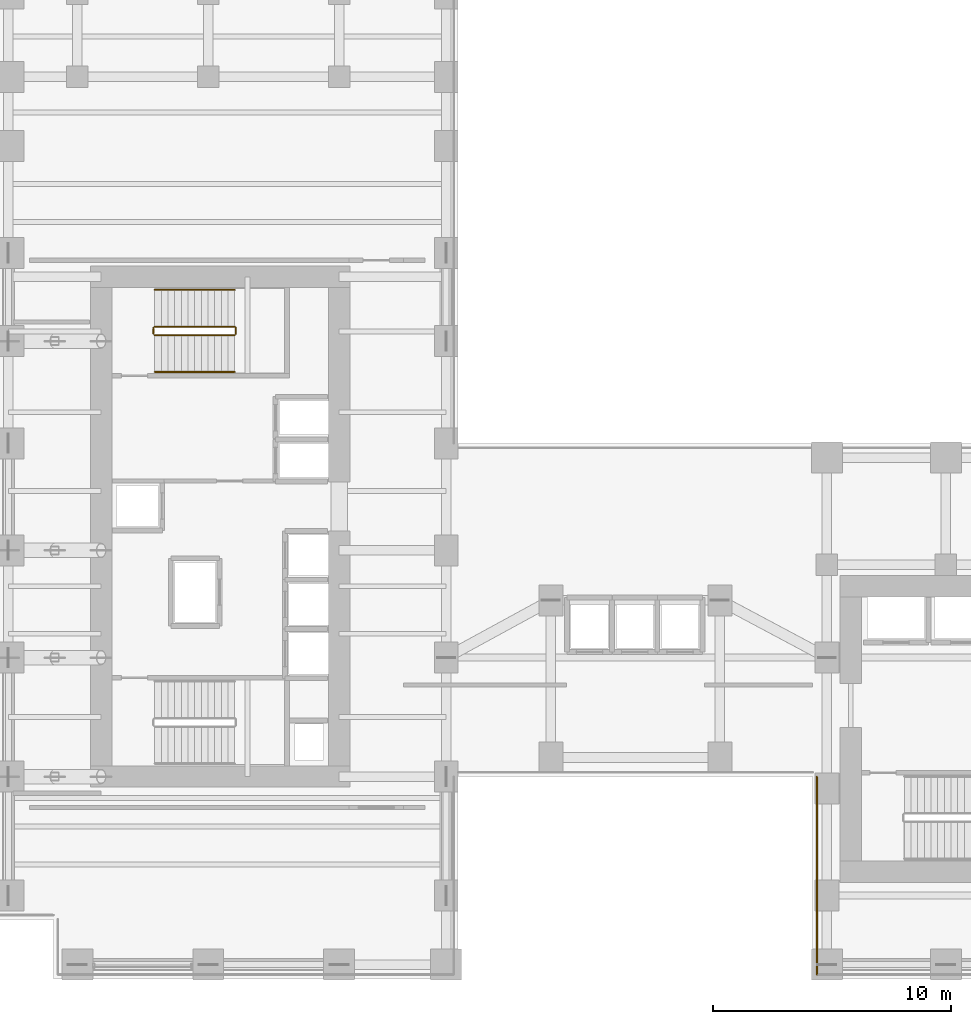
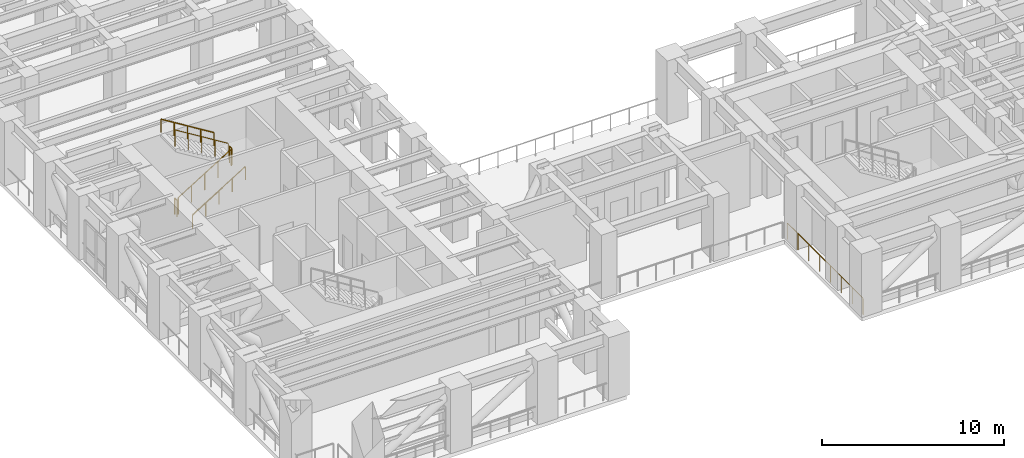
# One storey, part 14 of 16: 7 railings.
"""IFC4 building model written with IfcOpenShell, lengths in metres."""

from ifc_helpers import new_model, si_unit, direction, frame, origin, origin_2d, place, context, subcontext, project, spatial, circle, extrude, source, transform, mapped, material, layer, layer_set, type_object, element, save


model = new_model("IFC4")

# Units and contexts
model_context = context("Model", 3, precision=1e-05, world=origin(), true_north=direction((0.0, 1.0)))
body_context = subcontext(model_context, "Body", "Model", "MODEL_VIEW")
ifc_project = project(units=[si_unit("LENGTHUNIT", "METRE"), si_unit("AREAUNIT", "SQUARE_METRE"), si_unit("VOLUMEUNIT", "CUBIC_METRE"), si_unit("PLANEANGLEUNIT", "RADIAN"), si_unit("MASSUNIT", "GRAM", prefix="KILO")], contexts=[model_context])

# Site, building, storey
site_placement = place(None, origin())
site = spatial("IfcSite", under=ifc_project, at=site_placement, CompositionType="ELEMENT")
building_placement = place(site_placement, origin())
building = spatial("IfcBuilding", under=site, at=building_placement, Name="Kharzan Plaza Tower", CompositionType="ELEMENT")
storey_placement = place(building_placement, frame((0.0, 0.0, 72.89990234375)))
storey = spatial("IfcBuildingStorey", under=building, at=storey_placement, Name="L19", CompositionType="ELEMENT", Elevation=72.89990234375)

# Railings
ifc_material_1 = material(Name="Painted Galvanized Architectural Steel", Category="steel")
ifc_layer_1 = layer(ifc_material_1, 0.074951171875)
ifc_layer_set_1 = layer_set([ifc_layer_1], Name="Painted Galvanized Architectural Steel")
railing_type_1 = type_object("IfcRailingType", Name="RL-GUARD-1120", PredefinedType="BALUSTRADE", material=ifc_layer_set_1)
shared_shape_1 = source(origin(), body_context, "Body", "SweptSolid", [
    extrude(circle(Radius=0.02392578125, at=origin_2d()), frame((0.0224609375, 0.0, 1.10986328125), z_axis=(0.850623216509, 0.0, 0.525775754039), x_axis=(0.0, 1.0, 0.0)), (0.0, 0.0, 1.0), 3.897216796875),
    extrude(circle(Radius=0.02099609375, at=origin_2d()), origin(), (0.0, 0.0, 1.0), 1.072021484375),
    extrude(circle(Radius=0.02099609375, at=origin_2d()), frame((0.840087890625, 0.0, 0.519287109375)), (0.0, 0.0, 1.0), 1.072021484375),
    extrude(circle(Radius=0.02099609375, at=origin_2d()), frame((1.68017578125, 0.0, 1.03857421875)), (0.0, 0.0, 1.0), 1.072021484375),
    extrude(circle(Radius=0.02099609375, at=origin_2d()), frame((2.52001953125, 0.0, 1.5576171875)), (0.0, 0.0, 1.0), 1.072021484375),
    extrude(circle(Radius=0.02099609375, at=origin_2d()), frame((3.360107421875, 0.0, 2.076904296875)), (0.0, 0.0, 1.0), 1.072021484375),
])
railing_1_placement = place(storey_placement, frame((6.75, 27.050048828125, 0.173095703125)))
element("IfcRailing", 1, at=railing_1_placement, inside=storey, type_object=railing_type_1, Name="L19 ST-2 stair guard 1", PredefinedType="BALUSTRADE", context=body_context, shape_type="MappedRepresentation", body=[
    mapped(shared_shape_1, transform((0.0, 0.0, 0.0), x_axis=(1.0, 0.0, 0.0), y_axis=(0.0, 1.0, 0.0), z_axis=(0.0, 0.0, 1.0))),
])
shared_shape_2 = source(origin(), body_context, "Body", "SweptSolid", [
    extrude(circle(Radius=0.02392578125, at=origin_2d()), frame((0.0, 0.0263671875, 1.09619140625), z_axis=(0.0, 1.0, 0.0), x_axis=(-1.0, 0.0, 0.0)), (0.0, 0.0, 1.0), 0.197021484375),
    extrude(circle(Radius=0.02099609375, at=origin_2d()), origin(), (0.0, 0.0, 1.0), 1.072021484375),
    extrude(circle(Radius=0.02099609375, at=origin_2d()), frame((0.0, 0.25, 0.0)), (0.0, 0.0, 1.0), 1.072021484375),
])
for number, where, name in (
    (2, (10.159912109375, 27.10009765625, 2.25), "L19 ST-2 stair guard 2"),
    (3, (6.699951171875, 27.10009765625, 0.0), "L19 ST-2 stair guard 4"),
):
    element("IfcRailing", number, at=place(storey_placement, frame(where)), inside=storey, type_object=railing_type_1, Name=name, PredefinedType="BALUSTRADE", context=body_context, shape_type="MappedRepresentation", body=[
        mapped(shared_shape_2, transform((0.0, 0.0, 0.0), x_axis=(1.0, 0.0, 0.0), y_axis=(0.0, 1.0, 0.0), z_axis=(0.0, 0.0, 1.0))),
    ])
shared_shape_3 = source(origin(), body_context, "Body", "SweptSolid", [
    extrude(circle(Radius=0.02392578125, at=origin_2d()), frame((-0.0224609375, 0.0, 1.10986328125), z_axis=(-0.850623216509, 0.0, 0.525775754039), x_axis=(0.0, -1.0, 0.0)), (0.0, 0.0, 1.0), 3.897216796875),
    extrude(circle(Radius=0.02099609375, at=origin_2d()), origin(), (0.0, 0.0, 1.0), 1.072021484375),
    extrude(circle(Radius=0.02099609375, at=origin_2d()), frame((-0.840087890625, 0.0, 0.519287109375)), (0.0, 0.0, 1.0), 1.072021484375),
    extrude(circle(Radius=0.02099609375, at=origin_2d()), frame((-1.68017578125, 0.0, 1.03857421875)), (0.0, 0.0, 1.0), 1.072021484375),
    extrude(circle(Radius=0.02099609375, at=origin_2d()), frame((-2.52001953125, 0.0, 1.5576171875)), (0.0, 0.0, 1.0), 1.072021484375),
    extrude(circle(Radius=0.02099609375, at=origin_2d()), frame((-3.360107421875, 0.0, 2.076904296875)), (0.0, 0.0, 1.0), 1.072021484375),
])
railing_2_placement = place(storey_placement, frame((10.110107421875, 27.39990234375, 2.423095703125)))
element("IfcRailing", 4, at=railing_2_placement, inside=storey, type_object=railing_type_1, Name="L19 ST-2 stair guard 3", PredefinedType="BALUSTRADE", context=body_context, shape_type="MappedRepresentation", body=[
    mapped(shared_shape_3, transform((0.0, 0.0, 0.0), x_axis=(1.0, 0.0, 0.0), y_axis=(0.0, 1.0, 0.0), z_axis=(0.0, 0.0, 1.0))),
])
ifc_material_2 = material(Name="Brushed Stainless Steel", Category="steel")
ifc_layer_2 = layer(ifc_material_2, 0.050048828125)
ifc_layer_set_2 = layer_set([ifc_layer_2], Name="Brushed Stainless Steel")
railing_type_2 = type_object("IfcRailingType", Name="RL-STAIR-HR920", PredefinedType="HANDRAIL", material=ifc_layer_set_2)
shared_shape_4 = source(origin(), body_context, "Body", "SweptSolid", [
    extrude(circle(Radius=0.02392578125, at=origin_2d()), frame((0.0224609375, 0.0, 0.8896484375), z_axis=(0.850623216509, 0.0, 0.525775754039), x_axis=(0.0, 1.0, 0.0)), (0.0, 0.0, 1.0), 3.897216796875),
    extrude(circle(Radius=0.02099609375, at=origin_2d()), origin(), (0.0, 0.0, 1.0), 0.851806640625),
    extrude(circle(Radius=0.02099609375, at=origin_2d()), frame((0.840087890625, 0.0, 0.519287109375)), (0.0, 0.0, 1.0), 0.851806640625),
    extrude(circle(Radius=0.02099609375, at=origin_2d()), frame((1.68017578125, 0.0, 1.03857421875)), (0.0, 0.0, 1.0), 0.851806640625),
    extrude(circle(Radius=0.02099609375, at=origin_2d()), frame((2.52001953125, 0.0, 1.5576171875)), (0.0, 0.0, 1.0), 0.851806640625),
    extrude(circle(Radius=0.02099609375, at=origin_2d()), frame((3.360107421875, 0.0, 2.076904296875)), (0.0, 0.0, 1.0), 0.851806640625),
])
railing_3_placement = place(storey_placement, frame((6.75, 25.5, 0.173095703125)))
element("IfcRailing", 5, at=railing_3_placement, inside=storey, type_object=railing_type_2, Name="L19 ST-2 stair handrail 1", PredefinedType="HANDRAIL", context=body_context, shape_type="MappedRepresentation", body=[
    mapped(shared_shape_4, transform((0.0, 0.0, 0.0), x_axis=(1.0, 0.0, 0.0), y_axis=(0.0, 1.0, 0.0), z_axis=(0.0, 0.0, 1.0))),
])
shared_shape_5 = source(origin(), body_context, "Body", "SweptSolid", [
    extrude(circle(Radius=0.02392578125, at=origin_2d()), frame((-0.0224609375, 0.0, 0.8896484375), z_axis=(-0.850623216509, 0.0, 0.525775754039), x_axis=(0.0, -1.0, 0.0)), (0.0, 0.0, 1.0), 3.897216796875),
    extrude(circle(Radius=0.02099609375, at=origin_2d()), origin(), (0.0, 0.0, 1.0), 0.851806640625),
    extrude(circle(Radius=0.02099609375, at=origin_2d()), frame((-0.840087890625, 0.0, 0.519287109375)), (0.0, 0.0, 1.0), 0.851806640625),
    extrude(circle(Radius=0.02099609375, at=origin_2d()), frame((-1.68017578125, 0.0, 1.03857421875)), (0.0, 0.0, 1.0), 0.851806640625),
    extrude(circle(Radius=0.02099609375, at=origin_2d()), frame((-2.52001953125, 0.0, 1.5576171875)), (0.0, 0.0, 1.0), 0.851806640625),
    extrude(circle(Radius=0.02099609375, at=origin_2d()), frame((-3.360107421875, 0.0, 2.076904296875)), (0.0, 0.0, 1.0), 0.851806640625),
])
railing_4_placement = place(storey_placement, frame((10.110107421875, 28.949951171875, 2.423095703125)))
element("IfcRailing", 6, at=railing_4_placement, inside=storey, type_object=railing_type_2, Name="L19 ST-2 stair handrail 2", PredefinedType="HANDRAIL", context=body_context, shape_type="MappedRepresentation", body=[
    mapped(shared_shape_5, transform((0.0, 0.0, 0.0), x_axis=(1.0, 0.0, 0.0), y_axis=(0.0, 1.0, 0.0), z_axis=(0.0, 0.0, 1.0))),
])
shared_shape_6 = source(origin(), body_context, "Body", "SweptSolid", [
    extrude(circle(Radius=0.02392578125, at=origin_2d()), frame((0.0, 0.0263671875, 1.09619140625), z_axis=(0.0, 1.0, 0.0), x_axis=(-1.0, 0.0, 0.0)), (0.0, 0.0, 1.0), 8.26708984375),
    extrude(circle(Radius=0.02099609375, at=origin_2d()), origin(), (0.0, 0.0, 1.0), 1.072021484375),
    extrude(circle(Radius=0.02099609375, at=origin_2d()), frame((0.0, 1.1884765625, 0.0)), (0.0, 0.0, 1.0), 1.072021484375),
    extrude(circle(Radius=0.02099609375, at=origin_2d()), frame((0.0, 2.377197265625, 0.0)), (0.0, 0.0, 1.0), 1.072021484375),
    extrude(circle(Radius=0.02099609375, at=origin_2d()), frame((0.0, 3.565673828125, 0.0)), (0.0, 0.0, 1.0), 1.072021484375),
    extrude(circle(Radius=0.02099609375, at=origin_2d()), frame((0.0, 4.75439453125, 0.0)), (0.0, 0.0, 1.0), 1.072021484375),
    extrude(circle(Radius=0.02099609375, at=origin_2d()), frame((0.0, 5.94287109375, 0.0)), (0.0, 0.0, 1.0), 1.072021484375),
    extrude(circle(Radius=0.02099609375, at=origin_2d()), frame((0.0, 7.131591796875, 0.0)), (0.0, 0.0, 1.0), 1.072021484375),
    extrude(circle(Radius=0.02099609375, at=origin_2d()), frame((0.0, 8.320068359375, 0.0)), (0.0, 0.0, 1.0), 1.072021484375),
])
railing_5_placement = place(storey_placement, frame((34.580078125, 0.179931640625, 0.0)))
element("IfcRailing", 7, at=railing_5_placement, inside=storey, type_object=railing_type_1, Name="L19 Open Refuge Floor Perimeter Guard 40", PredefinedType="BALUSTRADE", context=body_context, shape_type="MappedRepresentation", body=[
    mapped(shared_shape_6, transform((0.0, 0.0, 0.0), x_axis=(1.0, 0.0, 0.0), y_axis=(0.0, 1.0, 0.0), z_axis=(0.0, 0.0, 1.0))),
])

save(model, "model.ifc")
